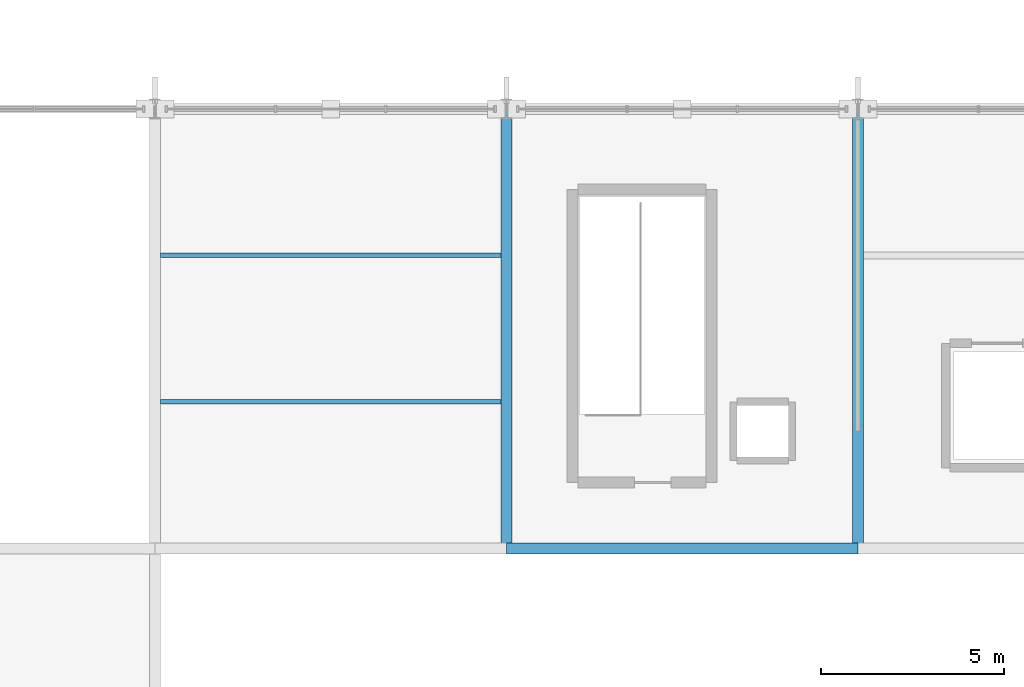
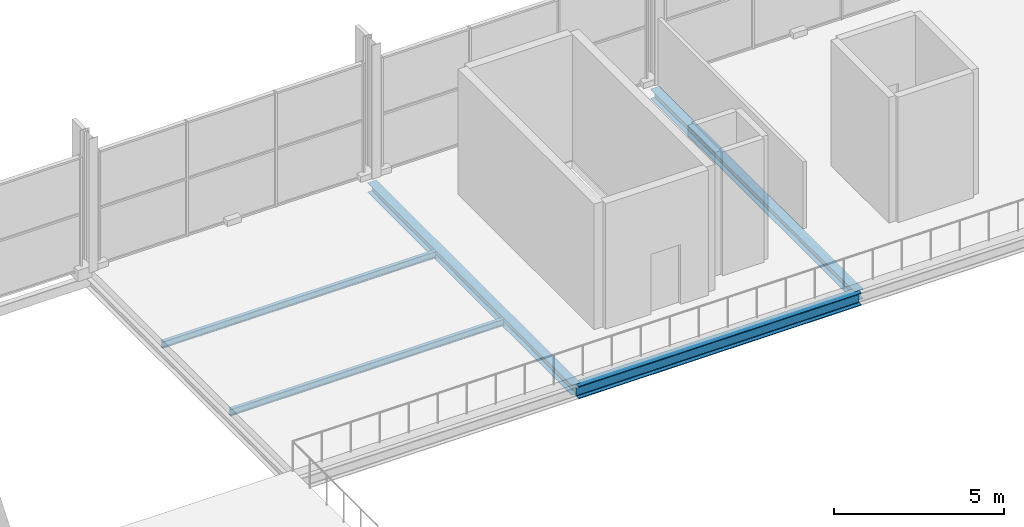
# One storey, part 79 of 159: 5 beams.
"""IFC4 building model written with IfcOpenShell, lengths in metres."""

from ifc_helpers import new_model, si_unit, direction, frame, origin, origin_2d, place, context, subcontext, project, spatial, i_section, extrude, material, material_profile, profile_set, type_object, element, save


model = new_model("IFC4")

# Units and contexts
model_context = context("Model", 3, precision=1e-05, world=origin(), true_north=direction((0.0, 1.0)))
body_context = subcontext(model_context, "Body", "Model", "MODEL_VIEW")
ifc_project = project(units=[si_unit("LENGTHUNIT", "METRE"), si_unit("AREAUNIT", "SQUARE_METRE"), si_unit("VOLUMEUNIT", "CUBIC_METRE"), si_unit("PLANEANGLEUNIT", "RADIAN"), si_unit("MASSUNIT", "GRAM", prefix="KILO")], contexts=[model_context])

# Site, building, storey
site_placement = place(None, origin())
site = spatial("IfcSite", under=ifc_project, at=site_placement, CompositionType="ELEMENT")
building_placement = place(site_placement, origin())
building = spatial("IfcBuilding", under=site, at=building_placement, Name="Merenkruunu Market Hall", CompositionType="ELEMENT")
storey_placement = place(building_placement, frame((0.0, 0.0, 5.39990234375)))
storey = spatial("IfcBuildingStorey", under=building, at=storey_placement, Name="L01", CompositionType="ELEMENT", Elevation=5.39990234375)

# Beams
ifc_material = material(Name="Steel S355J2", Category="steel")
ifc_material_profile_1 = material_profile(ifc_material, i_section(OverallWidth=0.300048828125, OverallDepth=0.449951171875, WebThickness=0.013916015625, FlangeThickness=0.02587890625, FilletRadius=0.027099609375, at=origin_2d()), Name="HEB 450")
ifc_profile_set_1 = profile_set([ifc_material_profile_1], Name="Steel S355J2")
beam_type_1 = type_object("IfcBeamType", Name="Primary Floor Girder B03", PredefinedType="BEAM", material=ifc_profile_set_1)
beam_placement = place(storey_placement, frame((19.199951171875, 99.60009765625, -0.5048828125), z_axis=(1.0, 0.0, 0.0), x_axis=(0.0, 1.0, 0.0)))
element("IfcBeam", 1, at=beam_placement, inside=storey, type_object=beam_type_1, Name="BM-L01-B03-0541", PredefinedType="BEAM", context=body_context, shape_type="SweptSolid", body=[
    extrude(i_section(OverallWidth=0.300048828125, OverallDepth=0.449951171875, WebThickness=0.013916015625, FlangeThickness=0.02587890625, FilletRadius=0.027099609375, at=origin_2d()), origin(), (0.0, 0.0, 1.0), 9.60009765625),
])
ifc_material_profile_2 = material_profile(ifc_material, i_section(OverallWidth=0.300048828125, OverallDepth=0.35009765625, WebThickness=0.010009765625, FlangeThickness=0.017578125, FilletRadius=0.027099609375, at=origin_2d()), Name="HEA 360")
ifc_profile_set_2 = profile_set([ifc_material_profile_2], Name="Steel S355J2")
beam_type_2 = type_object("IfcBeamType", Name="Primary Floor Girder B08", PredefinedType="BEAM", material=ifc_profile_set_2)
for number, where, z_axis, x_axis, name in (
    (2, (19.199951171875, 99.60009765625, -0.454833984375), (0.0, 1.0, 0.0), (-1.0, 0.0, 0.0), "BM-L01-B08-0568"),
    (3, (28.800048828125, 99.60009765625, -0.454833984375), (0.0, 1.0, 0.0), (-1.0, 0.0, 0.0), "BM-L01-B08-0569"),
):
    element("IfcBeam", number, at=place(storey_placement, frame(where, z_axis=z_axis, x_axis=x_axis)), inside=storey, type_object=beam_type_2, Name=name, PredefinedType="BEAM", context=body_context, shape_type="SweptSolid", body=[
        extrude(i_section(OverallWidth=0.300048828125, OverallDepth=0.35009765625, WebThickness=0.010009765625, FlangeThickness=0.017578125, FilletRadius=0.027099609375, at=origin_2d()), origin(), (0.0, 0.0, 1.0), 12.0),
    ])
ifc_material_profile_3 = material_profile(ifc_material, i_section(OverallWidth=0.1201171875, OverallDepth=0.239990234375, WebThickness=0.006103515625, FlangeThickness=0.009765625, FilletRadius=0.014892578125, at=origin_2d()), Name="IPE 240")
ifc_profile_set_3 = profile_set([ifc_material_profile_3], Name="Steel S355J2")
beam_type_3 = type_object("IfcBeamType", Name="Secondary Floor Joist J05", PredefinedType="JOIST", material=ifc_profile_set_3)
for number, where, z_axis, x_axis, name in (
    (4, (9.7529296875, 103.60009765625, -0.39990234375), (1.0, 0.0, 0.0), (0.0, 1.0, 0.0), "BM-L01-J05-0660"),
    (5, (9.7529296875, 107.60009765625, -0.39990234375), (1.0, 0.0, 0.0), (0.0, 1.0, 0.0), "BM-L01-J05-0661"),
):
    element("IfcBeam", number, at=place(storey_placement, frame(where, z_axis=z_axis, x_axis=x_axis)), inside=storey, type_object=beam_type_3, Name=name, PredefinedType="JOIST", context=body_context, shape_type="SweptSolid", body=[
        extrude(i_section(OverallWidth=0.1201171875, OverallDepth=0.239990234375, WebThickness=0.006103515625, FlangeThickness=0.009765625, FilletRadius=0.014892578125, at=origin_2d()), origin(), (0.0, 0.0, 1.0), 9.294189453125),
    ])

save(model, "model.ifc")
